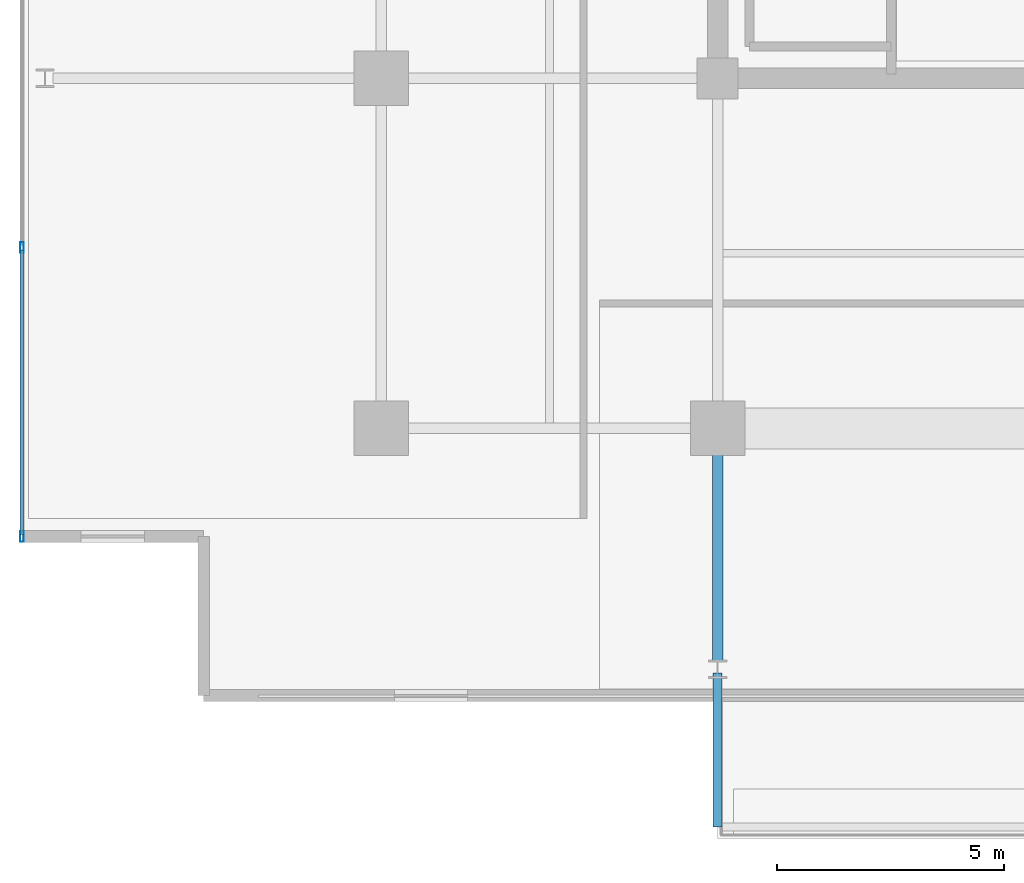
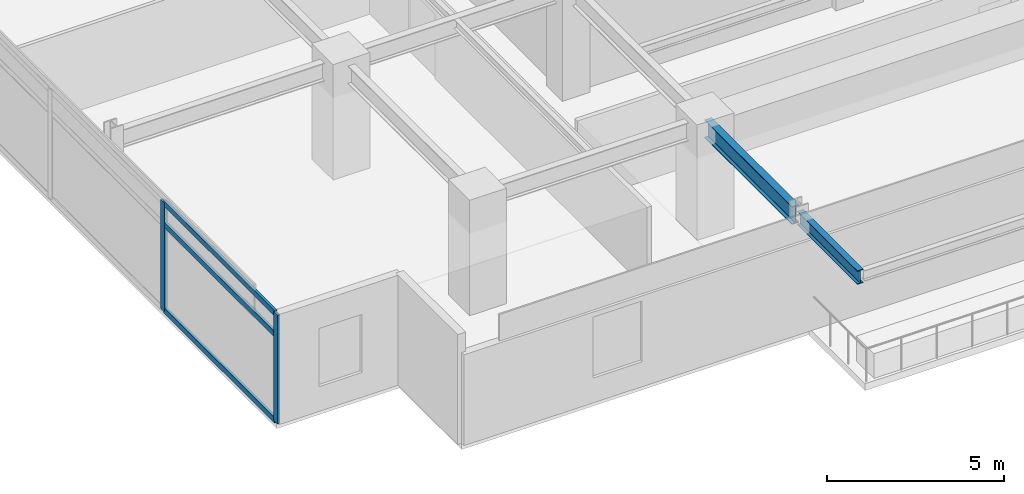
# One storey, part 2 of 21: 5 members, 2 beams, 1 element without a shape of its own.
"""IFC4 building model written with IfcOpenShell, lengths in metres."""

import ifcopenshell
import ifcopenshell.guid

model = None  # the IFC model being written
_history = None  # IfcOwnerHistory: only IFC2X3 demands one
_inside = {}  # id of a spatial element -> (the spatial element, [elements in it])
_under = {}  # id of a project, library or spatial element -> (it, [spatial elements below it])
_declared = {}  # id of a project -> (the project, [libraries it declares])
_typed = {}  # id of a type object -> (the type object, [elements of that type])
_made_of = {}  # id of a material, layer set ... -> (it, [elements and type objects made of it])


def new_model(schema):
    """Start an empty IFC model of exactly this schema.

    Asked for "IFC4X3", IfcOpenShell would pick the latest addendum, in which some entities
    have other attributes; the version numbers below select the first issue.
    IFC2X3 requires an IfcOwnerHistory on every rooted entity: one is made here for all.
    """
    global model, _history
    if schema == "IFC4X3":
        model = ifcopenshell.file(schema_version=(4, 3, 0, 0))
    else:
        model = ifcopenshell.file(schema=schema)
    _inside.clear()
    _under.clear()
    _declared.clear()
    _typed.clear()
    _made_of.clear()
    _history = None
    if model.schema == "IFC2X3":
        org = make("IfcOrganization", Name="unknown")
        user = make(
            "IfcPersonAndOrganization",
            ThePerson=make("IfcPerson", FamilyName="unknown"),
            TheOrganization=org,
        )
        app = make(
            "IfcApplication",
            ApplicationDeveloper=org,
            Version="unknown",
            ApplicationFullName="unknown",
            ApplicationIdentifier="unknown",
        )
        _history = make(
            "IfcOwnerHistory",
            OwningUser=user,
            OwningApplication=app,
            ChangeAction="ADDED",
            CreationDate=0,
        )
    return model


def make(cls, **values):
    """One entity of the class cls with the attributes given. An attribute that is None is left unset."""
    return model.create_entity(
        cls, **{name: value for name, value in values.items() if value is not None}
    )


def rooted(cls, **values):
    """An entity with a GlobalId (a new one), such as an element, a storey or a relation."""
    return make(cls, GlobalId=ifcopenshell.guid.new(), OwnerHistory=_history, **values)


def si_unit(unit_type, name, prefix=None):
    """IfcSIUnit, for example si_unit("LENGTHUNIT", "METRE", prefix="MILLI")."""
    return make("IfcSIUnit", UnitType=unit_type, Prefix=prefix, Name=name)


def assignment(units):
    """IfcUnitAssignment: the units of a project."""
    return None if units is None else make("IfcUnitAssignment", Units=units)


def point(xyz):
    """IfcCartesianPoint."""
    return None if xyz is None else make("IfcCartesianPoint", Coordinates=xyz)


def direction(xyz):
    """IfcDirection."""
    return None if xyz is None else make("IfcDirection", DirectionRatios=xyz)


def frame(location, z_axis=None, x_axis=None):
    """IfcAxis2Placement3D, a coordinate frame: its origin and axes. An axis left out is left unset."""
    return make(
        "IfcAxis2Placement3D",
        Location=point(location),
        Axis=direction(z_axis),
        RefDirection=direction(x_axis),
    )


def frame_2d(location, x_axis=None):
    """IfcAxis2Placement2D, a coordinate frame in the plane: its origin and x axis."""
    return make(
        "IfcAxis2Placement2D", Location=point(location), RefDirection=direction(x_axis)
    )


def origin():
    """The frame at (0, 0, 0) with its axes left unset."""
    return frame((0.0, 0.0, 0.0))


def origin_2d():
    """The frame at (0, 0) in the plane with its x axis left unset."""
    return frame_2d((0.0, 0.0))


def place(relative_to, where):
    """IfcLocalPlacement: puts the frame where relative to a parent placement (None: the world)."""
    return make(
        "IfcLocalPlacement", PlacementRelTo=relative_to, RelativePlacement=where
    )


def context(
    kind, dimensions, precision=None, world=None, true_north=None, identifier=None
):
    """IfcGeometricRepresentationContext, for example the 3D "Model" context."""
    return make(
        "IfcGeometricRepresentationContext",
        ContextIdentifier=identifier,
        ContextType=kind,
        CoordinateSpaceDimension=dimensions,
        Precision=precision,
        WorldCoordinateSystem=world,
        TrueNorth=true_north,
    )


def subcontext(parent, identifier, kind, view, scale=None):
    """IfcGeometricRepresentationSubContext, for example "Body" below "Model"."""
    return make(
        "IfcGeometricRepresentationSubContext",
        ContextIdentifier=identifier,
        ContextType=kind,
        ParentContext=parent,
        TargetScale=scale,
        TargetView=view,
    )


def project(units=None, contexts=None):
    """IfcProject with its units and contexts."""
    return rooted(
        "IfcProject",
        Name="project",
        RepresentationContexts=contexts,
        UnitsInContext=assignment(units),
    )


def spatial(cls, under=None, at=None, **own):
    """A site, building, storey or space (cls), placed at a placement, below another one or the project."""
    s = rooted(cls, ObjectPlacement=at, **own)
    if under is not None:
        _under.setdefault(under.id(), (under, []))[1].append(s)
    return s


def profile(cls, at=None, kind="AREA", **sizes):
    """A parametric profile (cls). Its sizes go by their IFC names, for example OverallWidth=200.0."""
    return make(cls, ProfileType=kind, Position=at, **sizes)


def hollow_rectangle(**sizes):
    """IfcRectangleHollowProfileDef."""
    return profile("IfcRectangleHollowProfileDef", **sizes)


def i_section(**sizes):
    """IfcIShapeProfileDef."""
    return profile("IfcIShapeProfileDef", **sizes)


def extrude(swept, where, along, depth):
    """IfcExtrudedAreaSolid: the profile swept, set in the frame where, extruded along a direction by depth."""
    return make(
        "IfcExtrudedAreaSolid",
        SweptArea=swept,
        Position=where,
        ExtrudedDirection=direction(along),
        Depth=depth,
    )


def shape(context_of_items, identifier, shape_type, items):
    """IfcShapeRepresentation: the items that make up one representation, for example the "Body"."""
    return make(
        "IfcShapeRepresentation",
        ContextOfItems=context_of_items,
        RepresentationIdentifier=identifier,
        RepresentationType=shape_type,
        Items=items,
    )


def material(Name=None, Category=None):
    """IfcMaterial."""
    return make("IfcMaterial", Name=Name, Category=Category)


def material_profile(
    of_material, cross_section, Name=None, Category=None, Priority=None
):
    """IfcMaterialProfile: a cross section and its material."""
    return make(
        "IfcMaterialProfile",
        Name=Name,
        Material=of_material,
        Profile=cross_section,
        Priority=Priority,
        Category=Category,
    )


def profile_set(profiles, Name=None, composite=None):
    """IfcMaterialProfileSet."""
    return make(
        "IfcMaterialProfileSet",
        Name=Name,
        MaterialProfiles=profiles,
        CompositeProfile=composite,
    )


def made_of(thing, what):
    """Note that an element or type object is made of a material, layer set ...; save() writes the relation."""
    if what is not None:
        _made_of.setdefault(what.id(), (what, []))[1].append(thing)
    return thing


def type_object(cls, material=None, **own):
    """A type object (cls), such as IfcWallType, which elements share."""
    return made_of(rooted(cls, **own), material)


def element(
    cls,
    number,
    at=None,
    inside=None,
    cuts=None,
    type_object=None,
    material=None,
    context=None,
    identifier="Body",
    shape_type=None,
    held_by="IfcProductDefinitionShape",
    body=None,
    shapes=None,
    **own,
):
    """One element of the class cls, such as IfcWall. Its Tag is "e" and its number.

    at: its placement. inside: the storey or other place that contains it. cuts: it is an
    opening in that element (IfcRelVoidsElement). A single representation is given by context,
    identifier, shape_type and body (its items); several are given by shapes. held_by: the class
    of the entity that holds the representations. save() writes the other relations.
    """
    e = rooted(cls, Tag="e%d" % number, ObjectPlacement=at, **own)
    if body is not None:
        shapes = [shape(context, identifier, shape_type, body)]
    if shapes is not None:
        e.Representation = make(held_by, Representations=shapes)
    if inside is not None:
        _inside.setdefault(inside.id(), (inside, []))[1].append(e)
    if cuts is not None:
        rooted(
            "IfcRelVoidsElement", RelatingBuildingElement=cuts, RelatedOpeningElement=e
        )
    if type_object is not None:
        _typed.setdefault(type_object.id(), (type_object, []))[1].append(e)
    return made_of(e, material)


def aggregate(whole, parts):
    """IfcRelAggregates: a whole, such as a stair, and the parts it consists of."""
    return rooted("IfcRelAggregates", RelatingObject=whole, RelatedObjects=parts)


def save(model, path):
    """Write the relations noted so far, then the file.

    IfcRelAggregates (storeys below a building ...), IfcRelContainedInSpatialStructure (elements
    in a storey), IfcRelDefinesByType, IfcRelAssociatesMaterial and IfcRelDeclares: one each for
    every whole, place, type object, material and project.
    """
    for whole, parts in _under.values():
        aggregate(whole, parts)
    for where, things in _inside.values():
        rooted(
            "IfcRelContainedInSpatialStructure",
            RelatedElements=things,
            RelatingStructure=where,
        )
    for kind, things in _typed.values():
        rooted("IfcRelDefinesByType", RelatedObjects=things, RelatingType=kind)
    for what, things in _made_of.values():
        rooted("IfcRelAssociatesMaterial", RelatedObjects=things, RelatingMaterial=what)
    for by, libraries in _declared.values():
        rooted("IfcRelDeclares", RelatingContext=by, RelatedDefinitions=libraries)
    model.write(path)


model = new_model("IFC4")

# Units and contexts
model_context = context("Model", 3, precision=1e-05, world=origin(), true_north=direction((0.0, 1.0)))
body_context = subcontext(model_context, "Body", "Model", "MODEL_VIEW")
ifc_project = project(units=[si_unit("LENGTHUNIT", "METRE"), si_unit("AREAUNIT", "SQUARE_METRE"), si_unit("VOLUMEUNIT", "CUBIC_METRE"), si_unit("PLANEANGLEUNIT", "RADIAN"), si_unit("MASSUNIT", "GRAM", prefix="KILO")], contexts=[model_context])

# Site, building, storey
site_placement = place(None, origin())
site = spatial("IfcSite", under=ifc_project, at=site_placement, CompositionType="ELEMENT")
building_placement = place(site_placement, origin())
building = spatial("IfcBuilding", under=site, at=building_placement, Name="Kovane Verandah Tower", CompositionType="ELEMENT")
storey_placement = place(building_placement, frame((0.0, 0.0, 263.199951171875)))
storey = spatial("IfcBuildingStorey", under=building, at=storey_placement, Name="L61", CompositionType="ELEMENT", Elevation=263.199951171875)

# Beam
ifc_material_1 = material(Name="Steel S355", Category="steel")
ifc_material_profile_1 = material_profile(ifc_material_1, i_section(OverallWidth=0.230224609375, OverallDepth=0.6171875, WebThickness=0.01318359375, FlangeThickness=0.022216796875, FilletRadius=0.0126953125, at=origin_2d()), Name="UB610x229x140")
ifc_profile_set_1 = profile_set([ifc_material_profile_1], Name="Steel S355")
beam_type_1 = type_object("IfcBeamType", Name="BM-UB610x140", PredefinedType="BEAM", material=ifc_profile_set_1)
beam_1_placement = place(storey_placement, frame((29.0, 10.6201171875, 3.451416015625), z_axis=(0.0, -1.0, 0.0), x_axis=(1.0, 0.0, 0.0)))
element("IfcBeam", 1, at=beam_1_placement, inside=storey, type_object=beam_type_1, Name="L61 Primary Tower Girder G-VS1", PredefinedType="BEAM", context=body_context, shape_type="SweptSolid", body=[
    extrude(i_section(OverallWidth=0.230224609375, OverallDepth=0.6171875, WebThickness=0.01318359375, FlangeThickness=0.022216796875, FilletRadius=0.0126953125, at=origin_2d()), origin(), (0.0, 0.0, 1.0), 4.940185546875),
])

# Curtain wall, members
ifc_material_2 = material(Name="Champagne Anodised Aluminium Frame with Low-E Clear Laminated Glass", Category="aluminium")
curtain_wall_type = type_object("IfcCurtainWallType", Name="CW-SYS-05-HIGH", PredefinedType="NOTDEFINED", material=ifc_material_2)
curtain_wall_placement = place(storey_placement, origin())
curtain_wall = element("IfcCurtainWall", 2, at=curtain_wall_placement, inside=storey, type_object=curtain_wall_type, Name="L61 W Unitised Curtain Wall", PredefinedType="NOTDEFINED")
ifc_material_3 = material(Name="Champagne Anodised Aluminium 6063-T6", Category="aluminium")
ifc_material_profile_2 = material_profile(ifc_material_3, hollow_rectangle(XDim=0.0849609375, YDim=0.22998046875, WallThickness=0.00390625, at=origin_2d()), Name="AL85x230x4")
ifc_profile_set_2 = profile_set([ifc_material_profile_2], Name="Champagne Anodised Aluminium 6063-T6")
member_type_1 = type_object("IfcMemberType", Name="CW-MUL-85x230", PredefinedType="MULLION", material=ifc_profile_set_2)
member_1_placement = place(storey_placement, frame((13.6923828125, 14.780029296875, 0.02001953125), z_axis=(0.0, 0.0, 1.0), x_axis=(-1.0, 0.0, 0.0)))
member_1 = element("IfcMember", 3, at=member_1_placement, type_object=member_type_1, Name="L61 W Unitised Curtain Wall Mullion 6", PredefinedType="MULLION", context=body_context, shape_type="SweptSolid", body=[
    extrude(hollow_rectangle(XDim=0.0849609375, YDim=0.22998046875, WallThickness=0.00390625, at=origin_2d()), origin(), (0.0, 0.0, 1.0), 3.7451171875),
])
member_2_placement = place(storey_placement, frame((13.6923828125, 8.419921875, 0.02001953125), z_axis=(0.0, 0.0, 1.0), x_axis=(-1.0, 0.0, 0.0)))
member_2 = element("IfcMember", 4, at=member_2_placement, type_object=member_type_1, Name="L61 W Unitised Curtain Wall Mullion 7", PredefinedType="MULLION", context=body_context, shape_type="SweptSolid", body=[
    extrude(hollow_rectangle(XDim=0.0849609375, YDim=0.22998046875, WallThickness=0.00390625, at=origin_2d()), origin(), (0.0, 0.0, 1.0), 3.7451171875),
])
ifc_material_profile_3 = material_profile(ifc_material_3, hollow_rectangle(XDim=0.0849609375, YDim=0.18994140625, WallThickness=0.00390625, at=origin_2d()), Name="AL85x190x4")
ifc_profile_set_3 = profile_set([ifc_material_profile_3], Name="Champagne Anodised Aluminium 6063-T6")
member_type_2 = type_object("IfcMemberType", Name="CW-TRN-85x190", PredefinedType="USERDEFINED", material=ifc_profile_set_3)
member_3_placement = place(storey_placement, frame((13.6923828125, 14.72998046875, 0.050048828125), z_axis=(0.0, -1.0, 0.0), x_axis=(1.0, 0.0, 0.0)))
member_3 = element("IfcMember", 5, at=member_3_placement, type_object=member_type_2, Name="L61 W Unitised Curtain Wall Transom TB Bay 6", ObjectType="TRANSOM", PredefinedType="USERDEFINED", context=body_context, shape_type="SweptSolid", body=[
    extrude(hollow_rectangle(XDim=0.0849609375, YDim=0.18994140625, WallThickness=0.00390625, at=origin_2d()), origin(), (0.0, 0.0, 1.0), 6.260009765625),
])
member_4_placement = place(storey_placement, frame((13.6923828125, 14.72998046875, 3.005126953125), z_axis=(0.0, -1.0, 0.0), x_axis=(1.0, 0.0, 0.0)))
member_4 = element("IfcMember", 6, at=member_4_placement, type_object=member_type_2, Name="L61 W Unitised Curtain Wall Transom TM Bay 6", ObjectType="TRANSOM", PredefinedType="USERDEFINED", context=body_context, shape_type="SweptSolid", body=[
    extrude(hollow_rectangle(XDim=0.0849609375, YDim=0.18994140625, WallThickness=0.00390625, at=origin_2d()), origin(), (0.0, 0.0, 1.0), 6.260009765625),
])
member_5_placement = place(storey_placement, frame((13.6923828125, 14.72998046875, 3.735107421875), z_axis=(0.0, -1.0, 0.0), x_axis=(1.0, 0.0, 0.0)))
member_5 = element("IfcMember", 7, at=member_5_placement, type_object=member_type_2, Name="L61 W Unitised Curtain Wall Transom TT Bay 6", ObjectType="TRANSOM", PredefinedType="USERDEFINED", context=body_context, shape_type="SweptSolid", body=[
    extrude(hollow_rectangle(XDim=0.0849609375, YDim=0.18994140625, WallThickness=0.00390625, at=origin_2d()), origin(), (0.0, 0.0, 1.0), 6.260009765625),
])
aggregate(curtain_wall, [member_1, member_2, member_3, member_4, member_5])

# Beam
ifc_material_profile_4 = material_profile(ifc_material_1, i_section(OverallWidth=0.19287109375, OverallDepth=0.46728515625, WebThickness=0.011474609375, FlangeThickness=0.01953125, FilletRadius=0.01025390625, at=origin_2d()), Name="UB457x191x98")
ifc_profile_set_4 = profile_set([ifc_material_profile_4], Name="Steel S355")
beam_type_2 = type_object("IfcBeamType", Name="JST-UB457x98", PredefinedType="JOIST", material=ifc_profile_set_4)
beam_2_placement = place(storey_placement, frame((29.0, 5.419921875, 3.5263671875), z_axis=(0.0, -1.0, 0.0), x_axis=(1.0, 0.0, 0.0)))
element("IfcBeam", 8, at=beam_2_placement, inside=storey, type_object=beam_type_2, Name="L61 South Planter Girder 1", PredefinedType="JOIST", context=body_context, shape_type="SweptSolid", body=[
    extrude(i_section(OverallWidth=0.19287109375, OverallDepth=0.46728515625, WebThickness=0.011474609375, FlangeThickness=0.01953125, FilletRadius=0.01025390625, at=origin_2d()), origin(), (0.0, 0.0, 1.0), 3.393310546875),
])

save(model, "model.ifc")
